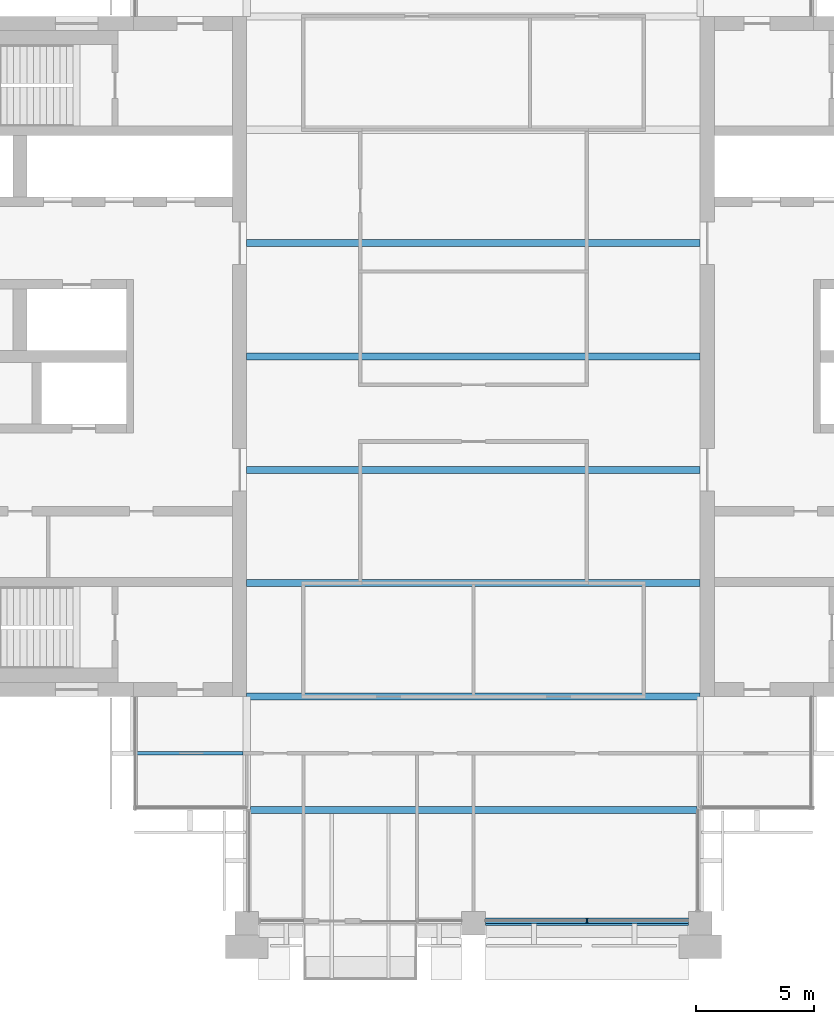
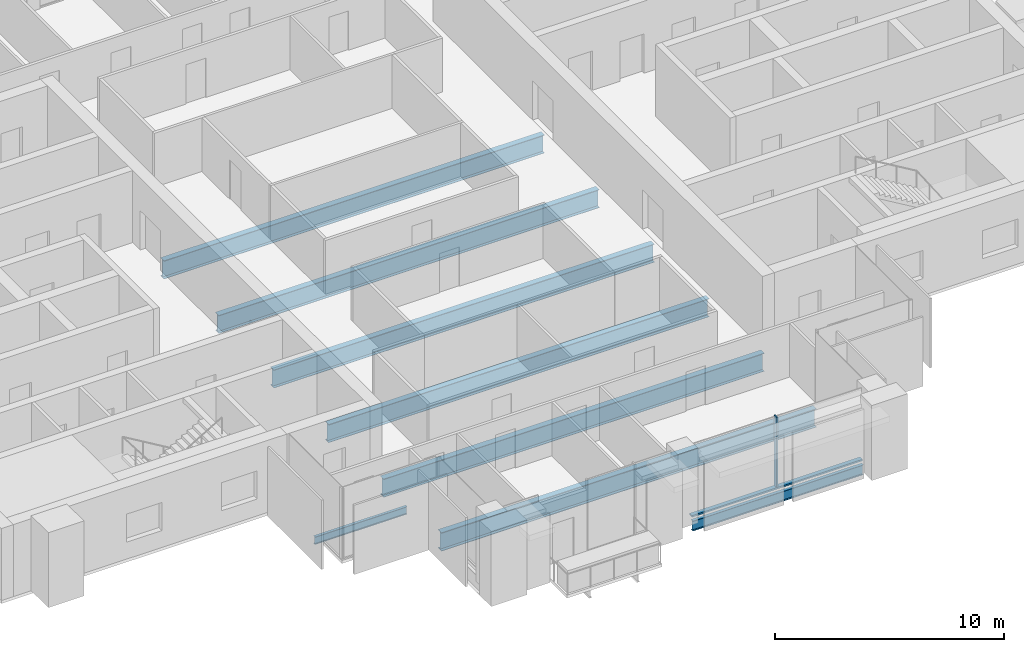
# One storey, part 3 of 13: 8 beams, 2 members, 1 element without a shape of its own.
"""IFC4 building model written with IfcOpenShell, lengths in metres."""

from ifc_helpers import new_model, si_unit, direction, frame, origin, origin_2d, place, context, subcontext, project, spatial, rectangle, i_section, extrude, material, material_profile, profile_set, type_object, element, aggregate, save


model = new_model("IFC4")

# Units and contexts
model_context = context("Model", 3, precision=1e-05, world=origin(), true_north=direction((0.0, 1.0)))
body_context = subcontext(model_context, "Body", "Model", "MODEL_VIEW")
ifc_project = project(units=[si_unit("LENGTHUNIT", "METRE"), si_unit("AREAUNIT", "SQUARE_METRE"), si_unit("VOLUMEUNIT", "CUBIC_METRE"), si_unit("PLANEANGLEUNIT", "RADIAN"), si_unit("MASSUNIT", "GRAM", prefix="KILO")], contexts=[model_context])

# Site, building, storey
site_placement = place(None, origin())
site = spatial("IfcSite", under=ifc_project, at=site_placement, CompositionType="ELEMENT")
building_placement = place(site_placement, origin())
building = spatial("IfcBuilding", under=site, at=building_placement, Name="Baori Bourse Tower", CompositionType="ELEMENT")
storey_placement = place(building_placement, frame((0.0, 0.0, 314.300048828125)))
storey = spatial("IfcBuildingStorey", under=building, at=storey_placement, Name="L69", CompositionType="ELEMENT", Elevation=314.300048828125)

# Curtain wall, members
ifc_material_1 = material(Name="Pale anodised aluminium", Category="aluminium")
curtain_wall_type = type_object("IfcCurtainWallType", Name="CW5 Curtain wall", PredefinedType="NOTDEFINED", material=ifc_material_1)
curtain_wall_placement = place(storey_placement, origin())
curtain_wall = element("IfcCurtainWall", 1, at=curtain_wall_placement, inside=storey, type_object=curtain_wall_type, Name="Curtain wall CW5 L69 15", PredefinedType="NOTDEFINED")
ifc_material_2 = material(Name="Pale anodised aluminium", Category="aluminium")
ifc_material_profile_1 = material_profile(ifc_material_2, rectangle(XDim=0.219970703125, YDim=0.06494140625, at=origin_2d()), Name="Mullion 65x220")
ifc_profile_set_1 = profile_set([ifc_material_profile_1], Name="Pale anodised aluminium")
member_type_1 = type_object("IfcMemberType", Name="CW5 Curtain wall mullion", PredefinedType="MULLION", material=ifc_profile_set_1)
member_1_placement = place(storey_placement, frame((33.60009765625, 0.110107421875, 0.0849609375), z_axis=(0.0, 0.0, 1.0), x_axis=(0.0, 1.0, 0.0)))
member_1 = element("IfcMember", 2, at=member_1_placement, type_object=member_type_1, Name="Curtain wall CW5 mullion", PredefinedType="MULLION", context=body_context, shape_type="SweptSolid", body=[
    extrude(rectangle(XDim=0.219970703125, YDim=0.06494140625, at=origin_2d()), origin(), (0.0, 0.0, 1.0), 3.7548828125),
])
ifc_material_3 = material(Name="Pale anodised aluminium", Category="aluminium")
ifc_material_profile_2 = material_profile(ifc_material_3, rectangle(XDim=0.219970703125, YDim=0.0849609375, at=origin_2d()), Name="Transom 85x220")
ifc_profile_set_2 = profile_set([ifc_material_profile_2], Name="Pale anodised aluminium")
member_type_2 = type_object("IfcMemberType", Name="CW5 Curtain wall transom", PredefinedType="USERDEFINED", material=ifc_profile_set_2)
member_2_placement = place(storey_placement, frame((29.300048828125, 0.110107421875, 0.04248046875), z_axis=(1.0, 0.0, 0.0), x_axis=(0.0, 1.0, 0.0)))
member_2 = element("IfcMember", 3, at=member_2_placement, type_object=member_type_2, Name="Curtain wall CW5 sill rail", ObjectType="TRANSOM", PredefinedType="USERDEFINED", context=body_context, shape_type="SweptSolid", body=[
    extrude(rectangle(XDim=0.219970703125, YDim=0.0849609375, at=origin_2d()), origin(), (0.0, 0.0, 1.0), 8.599853515625),
])
aggregate(curtain_wall, [member_2, member_1])

# Beams
ifc_material_4 = material(Name="Steel A992 Gr 50", Category="steel")
ifc_material_profile_3 = material_profile(ifc_material_4, i_section(OverallWidth=0.1650390625, OverallDepth=0.52587890625, WebThickness=0.0087890625, FlangeThickness=0.011474609375, at=origin_2d()), Name="W21x44")
ifc_profile_set_3 = profile_set([ifc_material_profile_3], Name="Steel A992 Gr 50")
beam_type_1 = type_object("IfcBeamType", Name="Edge beam W21x44", PredefinedType="BEAM", material=ifc_profile_set_3)
beam_1_placement = place(storey_placement, frame((29.300048828125, 0.0, -0.4228515625), z_axis=(1.0, 0.0, 0.0), x_axis=(0.0, 1.0, 0.0)))
element("IfcBeam", 4, at=beam_1_placement, inside=storey, type_object=beam_type_1, Name="Edge beam L69", PredefinedType="BEAM", context=body_context, shape_type="SweptSolid", body=[
    extrude(i_section(OverallWidth=0.1650390625, OverallDepth=0.52587890625, WebThickness=0.0087890625, FlangeThickness=0.011474609375, at=origin_2d()), origin(), (0.0, 0.0, 1.0), 8.599853515625),
])
ifc_material_5 = material(Name="Steel A992 Gr 50", Category="steel")
ifc_material_profile_4 = material_profile(ifc_material_5, i_section(OverallWidth=0.2998046875, OverallDepth=0.97021484375, WebThickness=0.01611328125, FlangeThickness=0.02099609375, at=origin_2d()), Name="W40x149")
ifc_profile_set_4 = profile_set([ifc_material_profile_4], Name="Steel A992 Gr 50")
beam_type_2 = type_object("IfcBeamType", Name="Floor beam W40x149", PredefinedType="BEAM", material=ifc_profile_set_4)
for number, where, z_axis, x_axis, name in (
    (5, (19.199951171875, 9.60009765625, -0.645263671875), (1.0, 0.0, 0.0), (0.0, 1.0, 0.0), "Floor beam L69"),
    (6, (19.199951171875, 14.39990234375, -0.645263671875), (1.0, 0.0, 0.0), (0.0, 1.0, 0.0), "Floor beam L69"),
    (7, (19.199951171875, 19.199951171875, -0.645263671875), (1.0, 0.0, 0.0), (0.0, 1.0, 0.0), "Floor beam L69"),
    (8, (19.199951171875, 24.0, -0.645263671875), (1.0, 0.0, 0.0), (0.0, 1.0, 0.0), "Floor beam L69"),
    (9, (19.199951171875, 28.800048828125, -0.645263671875), (1.0, 0.0, 0.0), (0.0, 1.0, 0.0), "Floor beam L69"),
):
    element("IfcBeam", number, at=place(storey_placement, frame(where, z_axis=z_axis, x_axis=x_axis)), inside=storey, type_object=beam_type_2, Name=name, PredefinedType="BEAM", context=body_context, shape_type="SweptSolid", body=[
        extrude(i_section(OverallWidth=0.2998046875, OverallDepth=0.97021484375, WebThickness=0.01611328125, FlangeThickness=0.02099609375, at=origin_2d()), origin(), (0.0, 0.0, 1.0), 19.199951171875),
    ])
ifc_material_6 = material(Name="Steel A992 Gr 50", Category="steel")
ifc_material_profile_5 = material_profile(ifc_material_6, i_section(OverallWidth=0.2998046875, OverallDepth=0.990478515625, WebThickness=0.0166015625, FlangeThickness=0.030517578125, at=origin_2d()), Name="W40x183")
ifc_profile_set_5 = profile_set([ifc_material_profile_5], Name="Steel A992 Gr 50")
beam_type_3 = type_object("IfcBeamType", Name="Floor beam W40x183", PredefinedType="BEAM", material=ifc_profile_set_5)
beam_2_placement = place(storey_placement, frame((19.352294921875, 4.800048828125, -0.6552734375), z_axis=(1.0, 0.0, 0.0), x_axis=(0.0, 1.0, 0.0)))
element("IfcBeam", 10, at=beam_2_placement, inside=storey, type_object=beam_type_3, Name="Floor beam L69", PredefinedType="BEAM", context=body_context, shape_type="SweptSolid", body=[
    extrude(i_section(OverallWidth=0.2998046875, OverallDepth=0.990478515625, WebThickness=0.0166015625, FlangeThickness=0.030517578125, at=origin_2d()), origin(), (0.0, 0.0, 1.0), 18.901611328125),
])
ifc_material_7 = material(Name="Steel A992 Gr 50", Category="steel")
ifc_material_profile_6 = material_profile(ifc_material_7, i_section(OverallWidth=0.140380859375, OverallDepth=0.40380859375, WebThickness=0.007080078125, FlangeThickness=0.01123046875, at=origin_2d()), Name="W16x31")
ifc_profile_set_6 = profile_set([ifc_material_profile_6], Name="Steel A992 Gr 50")
beam_type_4 = type_object("IfcBeamType", Name="Trimmer beam W16x31", PredefinedType="BEAM", material=ifc_profile_set_6)
beam_3_placement = place(storey_placement, frame((14.39990234375, 7.199951171875, -0.362060546875), z_axis=(1.0, 0.0, 0.0), x_axis=(0.0, 1.0, 0.0)))
element("IfcBeam", 11, at=beam_3_placement, inside=storey, type_object=beam_type_4, Name="Trimmer beam L69", PredefinedType="BEAM", context=body_context, shape_type="SweptSolid", body=[
    extrude(i_section(OverallWidth=0.140380859375, OverallDepth=0.40380859375, WebThickness=0.007080078125, FlangeThickness=0.01123046875, at=origin_2d()), origin(), (0.0, 0.0, 1.0), 4.647705078125),
])

save(model, "model.ifc")
